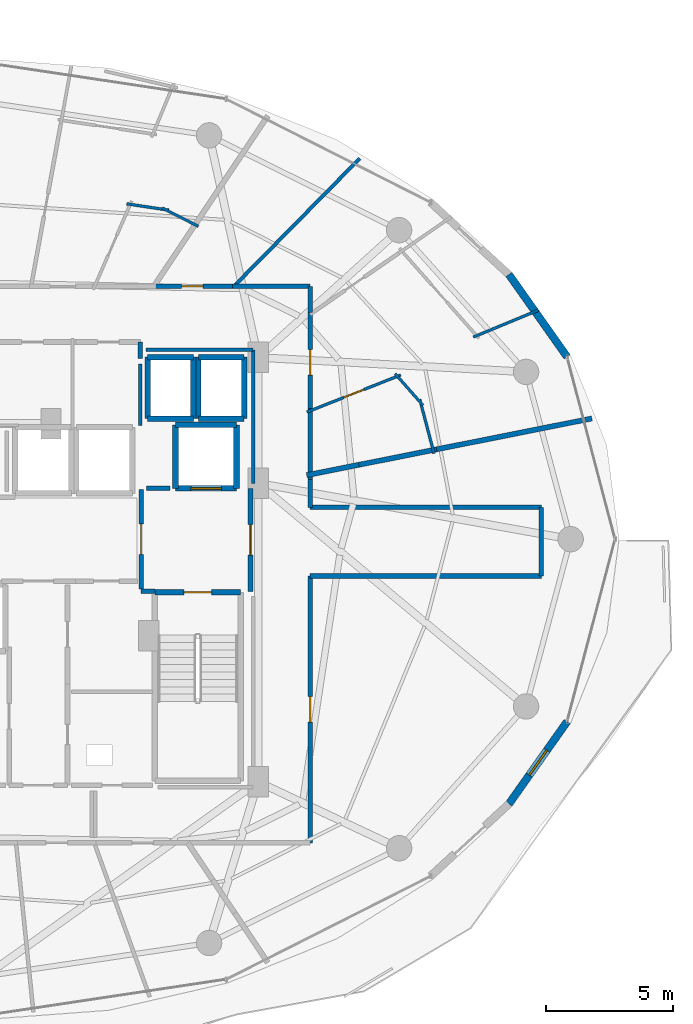
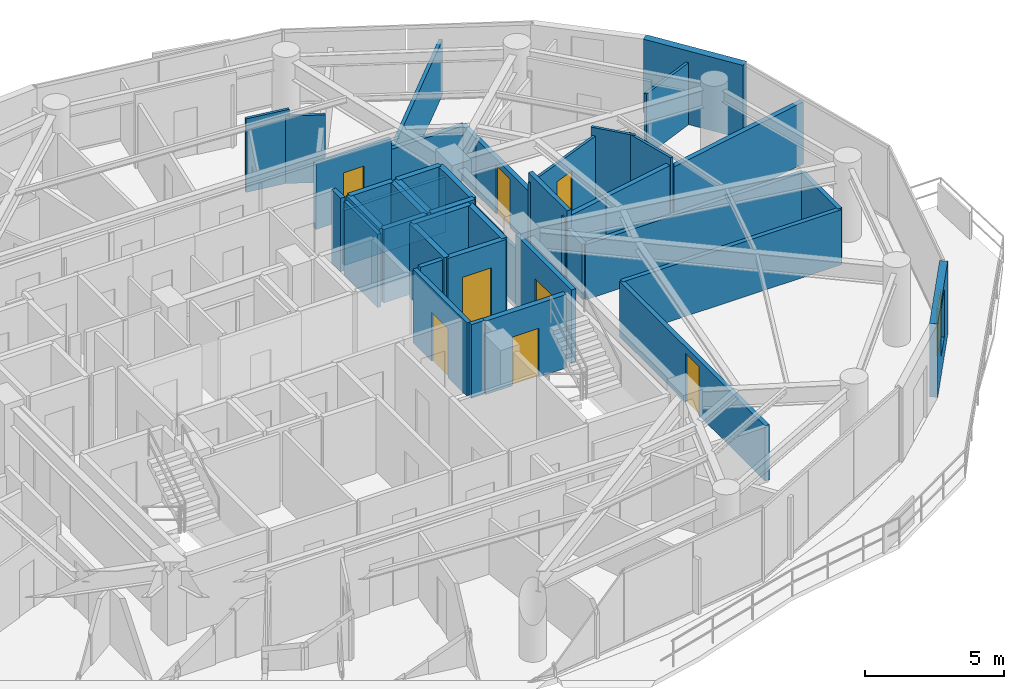
# One storey, part 25 of 30: 43 walls, 8 doors, 1 window, 9 openings.
"""IFC4 building model written with IfcOpenShell, lengths in metres."""

from ifc_helpers import new_model, si_unit, direction, frame, frame_2d, origin, place, context, subcontext, project, spatial, rectangle, extrude, material, layer, layer_set, type_object, element, fill, save


model = new_model("IFC4")

# Units and contexts
model_context = context("Model", 3, precision=1e-05, world=origin(), true_north=direction((0.0, 1.0)))
body_context = subcontext(model_context, "Body", "Model", "MODEL_VIEW")
ifc_project = project(units=[si_unit("LENGTHUNIT", "METRE"), si_unit("AREAUNIT", "SQUARE_METRE"), si_unit("VOLUMEUNIT", "CUBIC_METRE"), si_unit("PLANEANGLEUNIT", "RADIAN"), si_unit("MASSUNIT", "GRAM", prefix="KILO")], contexts=[model_context])

# Site, building, storey
site_placement = place(None, origin())
site = spatial("IfcSite", under=ifc_project, at=site_placement, CompositionType="ELEMENT")
building_placement = place(site_placement, origin())
building = spatial("IfcBuilding", under=site, at=building_placement, Name="Vorneva Point Tower", CompositionType="ELEMENT")
storey_placement = place(building_placement, frame((0.0, 0.0, 157.10009765625)))
storey = spatial("IfcBuildingStorey", under=building, at=storey_placement, Name="L42", CompositionType="ELEMENT", Elevation=157.10009765625)

# Wall, opening, door
ifc_material_1 = material(Name="Concrete B60 (C50/60)", Category="concrete")
ifc_layer_1 = layer(ifc_material_1, 0.5)
ifc_layer_set_1 = layer_set([ifc_layer_1], Name="Concrete B60 (C50/60)")
wall_type_1 = type_object("IfcWallType", Name="WL-CORE-500", PredefinedType="SHEAR", material=ifc_layer_set_1)
wall_1_placement = place(storey_placement, frame((45.5, 28.0, 0.0), z_axis=(0.0, 0.0, 1.0), x_axis=(1.0, 0.0, 0.0)))
wall_1 = element("IfcWall", 1, at=wall_1_placement, inside=storey, type_object=wall_type_1, Name="L42 Lift FFL2 Shaft Wall -Y", PredefinedType="SHEAR", context=body_context, shape_type="SweptSolid", body=[
    extrude(rectangle(XDim=2.39990234375, YDim=0.219970703125, at=frame_2d((1.199951171875, 0.0))), origin(), (0.0, 0.0, 1.0), 3.239990234375),
])
opening_1_placement = place(wall_1_placement, frame((0.60009765625, 0.0, 0.0)))
opening_1 = element("IfcOpeningElement", 2, at=opening_1_placement, cuts=wall_1, Name="Opening LD-02", PredefinedType="OPENING", context=body_context, shape_type="SweptSolid", body=[
    extrude(rectangle(XDim=1.199951171875, YDim=2.199951171875, at=frame_2d((0.60009765625, 1.10009765625))), frame((0.0, 0.125, 0.0), z_axis=(0.0, -1.0, 0.0), x_axis=(1.0, 0.0, 0.0)), (0.0, 0.0, 1.0), 0.249755859375),
])
ifc_material_2 = material(Name="Brushed stainless steel S304", Category="steel")
door_type_1 = type_object("IfcDoorType", Name="LD-FIRE-1200", OperationType="SLIDING_TO_LEFT", PredefinedType="DOOR", material=ifc_material_2)
door_1_placement = place(opening_1_placement, origin())
door_1 = element("IfcDoor", 3, at=door_1_placement, inside=storey, type_object=door_type_1, Name="L42 Lift FFL2 Sliding Landing Door", OperationType="SLIDING_TO_LEFT", OverallHeight=2.199951171875, OverallWidth=1.199951171875, PredefinedType="DOOR", context=body_context, shape_type="SweptSolid", body=[
    extrude(rectangle(XDim=1.199951171875, YDim=2.199951171875, at=frame_2d((0.60009765625, 1.10009765625))), frame((0.0, 0.02490234375, 0.0), z_axis=(0.0, -1.0, 0.0), x_axis=(1.0, 0.0, 0.0)), (0.0, 0.0, 1.0), 0.050048828125),
])
fill(opening_1, door_1)

# Walls
wall_2_placement = place(storey_placement, frame((47.89990234375, 28.0, 0.0), z_axis=(0.0, 0.0, 1.0), x_axis=(0.0, 1.0, 0.0)))
element("IfcWall", 4, at=wall_2_placement, inside=storey, type_object=wall_type_1, Name="L42 Lift FFL2 Shaft Wall +X", PredefinedType="SHEAR", context=body_context, shape_type="SweptSolid", body=[
    extrude(rectangle(XDim=2.5, YDim=0.219970703125, at=frame_2d((1.25, 0.0))), origin(), (0.0, 0.0, 1.0), 3.239990234375),
])
wall_3_placement = place(storey_placement, frame((47.89990234375, 30.5, 0.0), z_axis=(0.0, 0.0, 1.0), x_axis=(-1.0, 0.0, 0.0)))
element("IfcWall", 5, at=wall_3_placement, inside=storey, type_object=wall_type_1, Name="L42 Lift FFL2 Shaft Wall +Y", PredefinedType="SHEAR", context=body_context, shape_type="SweptSolid", body=[
    extrude(rectangle(XDim=2.39990234375, YDim=0.219970703125, at=frame_2d((1.199951171875, 0.0))), origin(), (0.0, 0.0, 1.0), 3.239990234375),
])
wall_4_placement = place(storey_placement, frame((45.5, 30.5, 0.0), z_axis=(0.0, 0.0, 1.0), x_axis=(0.0, -1.0, 0.0)))
element("IfcWall", 6, at=wall_4_placement, inside=storey, type_object=wall_type_1, Name="L42 Lift FFL2 Shaft Wall -X", PredefinedType="SHEAR", context=body_context, shape_type="SweptSolid", body=[
    extrude(rectangle(XDim=2.5, YDim=0.219970703125, at=frame_2d((1.25, 0.0))), origin(), (0.0, 0.0, 1.0), 3.239990234375),
])
ifc_material_3 = material(Name="Precast concrete B50 (C40/50)", Category="concrete")
ifc_layer_2 = layer(ifc_material_3, 0.300048828125)
ifc_layer_set_2 = layer_set([ifc_layer_2], Name="Precast concrete B50 (C40/50)")
wall_type_2 = type_object("IfcWallType", Name="WL-EXT-300", PredefinedType="STANDARD", material=ifc_layer_set_2)
wall_5_placement = place(storey_placement, frame((60.912109375, 33.17529296875, 0.0), z_axis=(0.0, 0.0, 1.0), x_axis=(-0.577269753207, 0.816553508371, 0.0)))
element("IfcWall", 7, at=wall_5_placement, inside=storey, type_object=wall_type_2, Name="L42 Pale-Metal Facade Spandrel Wall 02.1", PredefinedType="STANDARD", context=body_context, shape_type="SweptSolid", body=[
    extrude(rectangle(XDim=3.969970703125, YDim=0.300048828125, at=frame_2d((1.98486328125, 0.0))), origin(), (0.0, 0.0, 1.0), 3.239990234375),
])

# Wall, opening, window
wall_6_placement = place(storey_placement, frame((58.620361328125, 15.5830078125, 0.0), z_axis=(0.0, 0.0, 1.0), x_axis=(0.577269753207, 0.816553508371, 0.0)))
wall_6 = element("IfcWall", 8, at=wall_6_placement, inside=storey, type_object=wall_type_2, Name="L42 Pale-Metal Facade Spandrel Wall 15.2", PredefinedType="STANDARD", context=body_context, shape_type="SweptSolid", body=[
    extrude(rectangle(XDim=3.969970703125, YDim=0.300048828125, at=frame_2d((1.98486328125, 0.0))), origin(), (0.0, 0.0, 1.0), 3.239990234375),
])
opening_2_placement = place(wall_6_placement, frame((1.385009765625, 0.0, 0.85009765625)))
opening_2 = element("IfcOpeningElement", 9, at=opening_2_placement, cuts=wall_6, Name="Opening W-04", PredefinedType="OPENING", context=body_context, shape_type="SweptSolid", body=[
    extrude(rectangle(XDim=1.199951171875, YDim=2.10009765625, at=frame_2d((0.60009765625, 1.050048828125))), frame((0.0, 0.1650390625, 0.0), z_axis=(0.0, -1.0, 0.0), x_axis=(1.0, 0.0, 0.0)), (0.0, 0.0, 1.0), 0.329833984375),
])
ifc_material_4 = material(Name="Double low-e laminated glass IGU", Category="glass")
window_type = type_object("IfcWindowType", Name="WN-RES-1200", PartitioningType="SINGLE_PANEL", PredefinedType="WINDOW", material=ifc_material_4)
window_placement = place(opening_2_placement, origin())
window = element("IfcWindow", 10, at=window_placement, inside=storey, type_object=window_type, Name="L42 Facade Window 15", OverallHeight=2.10009765625, OverallWidth=1.199951171875, PartitioningType="SINGLE_PANEL", PredefinedType="WINDOW", context=body_context, shape_type="SweptSolid", body=[
    extrude(rectangle(XDim=1.199951171875, YDim=2.10009765625, at=frame_2d((0.60009765625, 1.050048828125))), frame((0.0, 0.030029296875, 0.0), z_axis=(0.0, -1.0, 0.0), x_axis=(1.0, 0.0, 0.0)), (0.0, 0.0, 1.0), 0.06005859375),
])
fill(opening_2, window)

# Wall, opening, door
ifc_material_5 = material(Name="Fire-rated acoustic gypsum stud partition", Category="gypsum")
ifc_layer_3 = layer(ifc_material_5, 0.110107421875)
ifc_layer_set_3 = layer_set([ifc_layer_3], Name="Fire-rated acoustic gypsum stud partition")
wall_type_3 = type_object("IfcWallType", Name="WL-PART-110", PredefinedType="PARTITIONING", material=ifc_layer_set_3)
wall_7_placement = place(storey_placement, frame((50.669921875, 31.002685546875, 0.0), z_axis=(0.0, 0.0, 1.0), x_axis=(0.930092731386, 0.367324803169, 0.0)))
wall_7 = element("IfcWall", 11, at=wall_7_placement, inside=storey, type_object=wall_type_3, Name="L42 Interior Partition 072", PredefinedType="PARTITIONING", context=body_context, shape_type="SweptSolid", body=[
    extrude(rectangle(XDim=3.968505859375, YDim=0.110107421875, at=frame_2d((1.984375, 0.0))), origin(), (0.0, 0.0, 1.0), 2.885986328125),
])
opening_3_placement = place(wall_7_placement, frame((1.559326171875, 0.0, 0.0)))
opening_3 = element("IfcOpeningElement", 12, at=opening_3_placement, cuts=wall_7, Name="Opening ID-02", PredefinedType="OPENING", context=body_context, shape_type="SweptSolid", body=[
    extrude(rectangle(XDim=0.85009765625, YDim=2.10009765625, at=frame_2d((0.425048828125, 1.050048828125))), frame((0.0, 0.06982421875, 0.0), z_axis=(0.0, -1.0, 0.0), x_axis=(1.0, 0.0, 0.0)), (0.0, 0.0, 1.0), 0.139892578125),
])
ifc_material_6 = material(Name="Engineered oak fire-rated door leaf", Category="wood")
door_type_2 = type_object("IfcDoorType", Name="DR-BATH-850", OperationType="NOTDEFINED", PredefinedType="DOOR", material=ifc_material_6)
door_2_placement = place(opening_3_placement, origin())
door_2 = element("IfcDoor", 13, at=door_2_placement, inside=storey, type_object=door_type_2, Name="L42 Door Living and Dining Room L42-01 / Bathroom L42-01", OperationType="SINGLE_SWING_LEFT", OverallHeight=2.10009765625, OverallWidth=0.85009765625, PredefinedType="DOOR", context=body_context, shape_type="SweptSolid", body=[
    extrude(rectangle(XDim=0.85009765625, YDim=2.10009765625, at=frame_2d((0.425048828125, 1.050048828125))), frame((0.0, 0.02490234375, 0.0), z_axis=(0.0, -1.0, 0.0), x_axis=(1.0, 0.0, 0.0)), (0.0, 0.0, 1.0), 0.050048828125),
])
fill(opening_3, door_2)

# Walls
wall_8_placement = place(storey_placement, frame((54.138427734375, 32.513916015625, 0.0), z_axis=(0.0, 0.0, 1.0), x_axis=(0.661645897528, -0.749816448396, 0.0)))
element("IfcWall", 14, at=wall_8_placement, inside=storey, type_object=wall_type_3, Name="L42 Interior Partition 073", PredefinedType="PARTITIONING", context=body_context, shape_type="SweptSolid", body=[
    extrude(rectangle(XDim=1.6640625, YDim=0.110107421875, at=frame_2d((0.83203125, 0.0))), origin(), (0.0, 0.0, 1.0), 3.239990234375),
])
wall_9_placement = place(storey_placement, frame((55.111328125, 31.50634765625, 0.0), z_axis=(0.0, 0.0, 1.0), x_axis=(0.254389812051, -0.967101764823, 0.0)))
element("IfcWall", 15, at=wall_9_placement, inside=storey, type_object=wall_type_3, Name="L42 Interior Partition 074", PredefinedType="PARTITIONING", context=body_context, shape_type="SweptSolid", body=[
    extrude(rectangle(XDim=2.206298828125, YDim=0.110107421875, at=frame_2d((1.10302734375, 0.0))), origin(), (0.0, 0.0, 1.0), 3.239990234375),
])
wall_10_placement = place(storey_placement, frame((59.7783203125, 35.012451171875, 0.0), z_axis=(0.0, 0.0, 1.0), x_axis=(-0.924067287951, -0.382229835751, 0.0)))
element("IfcWall", 16, at=wall_10_placement, inside=storey, type_object=wall_type_3, Name="L42 Interior Partition 075", PredefinedType="PARTITIONING", context=body_context, shape_type="SweptSolid", body=[
    extrude(rectangle(XDim=2.770263671875, YDim=0.110107421875, at=frame_2d((1.38525390625, 0.0))), origin(), (0.0, 0.0, 1.0), 2.727783203125),
])
wall_11_placement = place(storey_placement, frame((43.57861328125, 39.19677734375, 0.0), z_axis=(0.0, 0.0, 1.0), x_axis=(0.988928896576, -0.148390153032, 0.0)))
element("IfcWall", 17, at=wall_11_placement, inside=storey, type_object=wall_type_3, Name="L42 Interior Partition 085", PredefinedType="PARTITIONING", context=body_context, shape_type="SweptSolid", body=[
    extrude(rectangle(XDim=1.681396484375, YDim=0.110107421875, at=frame_2d((0.8408203125, 0.0))), origin(), (0.0, 0.0, 1.0), 3.239990234375),
])
wall_12_placement = place(storey_placement, frame((44.97802734375, 39.03125, 0.0), z_axis=(0.0, 0.0, 1.0), x_axis=(0.892388427115, -0.451268096758, 0.0)))
element("IfcWall", 18, at=wall_12_placement, inside=storey, type_object=wall_type_3, Name="L42 Interior Partition 086", PredefinedType="PARTITIONING", context=body_context, shape_type="SweptSolid", body=[
    extrude(rectangle(XDim=1.587890625, YDim=0.110107421875, at=frame_2d((0.7939453125, 0.0))), origin(), (0.0, 0.0, 1.0), 2.971923828125),
])
ifc_layer_4 = layer(ifc_material_5, 0.139892578125)
ifc_layer_set_4 = layer_set([ifc_layer_4], Name="Fire-rated acoustic gypsum stud partition")
wall_type_4 = type_object("IfcWallType", Name="WL-PART-140", PredefinedType="PARTITIONING", material=ifc_layer_set_4)
wall_13_placement = place(storey_placement, frame((52.7509765625, 40.985107421875, 0.0), z_axis=(0.0, 0.0, 1.0), x_axis=(-0.701486551238, -0.712682691268, 0.0)))
element("IfcWall", 19, at=wall_13_placement, inside=storey, type_object=wall_type_4, Name="L42 Interior Partition 082", PredefinedType="PARTITIONING", context=body_context, shape_type="SweptSolid", body=[
    extrude(rectangle(XDim=7.065185546875, YDim=0.139892578125, at=frame_2d((3.53271484375, 0.0))), origin(), (0.0, 0.0, 1.0), 2.431884765625),
])
wall_14_placement = place(storey_placement, frame((44.1201171875, 30.47998046875, 0.0), z_axis=(0.0, 0.0, 1.0), x_axis=(0.0, 1.0, 0.0)))
element("IfcWall", 20, at=wall_14_placement, inside=storey, type_object=wall_type_4, Name="L42 Interior Closure Partition 147", PredefinedType="PARTITIONING", context=body_context, shape_type="SweptSolid", body=[
    extrude(rectangle(XDim=2.409912109375, YDim=0.139892578125, at=frame_2d((1.205078125, 0.0))), origin(), (0.0, 0.0, 1.0), 3.239990234375),
])
wall_15_placement = place(storey_placement, frame((48.550048828125, 28.196044921875, 0.0), z_axis=(0.0, 0.0, 1.0), x_axis=(0.0, 1.0, 0.0)))
element("IfcWall", 21, at=wall_15_placement, inside=storey, type_object=wall_type_4, Name="L42 Interior Closure Partition 154", PredefinedType="PARTITIONING", context=body_context, shape_type="SweptSolid", body=[
    extrude(rectangle(XDim=5.25390625, YDim=0.139892578125, at=frame_2d((2.626953125, 0.0))), origin(), (0.0, 0.0, 1.0), 2.431884765625),
])
wall_16_placement = place(storey_placement, frame((48.550048828125, 33.449951171875, 0.0), z_axis=(0.0, 0.0, 1.0), x_axis=(-1.0, 0.0, 0.0)))
element("IfcWall", 22, at=wall_16_placement, inside=storey, type_object=wall_type_4, Name="L42 Interior Closure Partition 155", PredefinedType="PARTITIONING", context=body_context, shape_type="SweptSolid", body=[
    extrude(rectangle(XDim=4.2099609375, YDim=0.139892578125, at=frame_2d((2.10498046875, 0.0))), origin(), (0.0, 0.0, 1.0), 2.431884765625),
])

# Wall, opening, door
ifc_material_7 = material(Name="Autoclaved aerated concrete blockwork", Category="masonry")
ifc_layer_5 = layer(ifc_material_7, 0.179931640625)
ifc_layer_set_5 = layer_set([ifc_layer_5], Name="Autoclaved aerated concrete blockwork")
wall_type_5 = type_object("IfcWallType", Name="WL-PART-180", PredefinedType="PARTITIONING", material=ifc_layer_set_5)
wall_17_placement = place(storey_placement, frame((44.14990234375, 27.955078125, 0.0), z_axis=(0.0, 0.0, 1.0), x_axis=(0.0, -1.0, 0.0)))
wall_17 = element("IfcWall", 23, at=wall_17_placement, inside=storey, type_object=wall_type_5, Name="L42 Interior Partition 003", PredefinedType="PARTITIONING", context=body_context, shape_type="SweptSolid", body=[
    extrude(rectangle(XDim=3.91015625, YDim=0.179931640625, at=frame_2d((1.955078125, 0.0))), origin(), (0.0, 0.0, 1.0), 3.239990234375),
])
opening_4_placement = place(wall_17_placement, frame((1.35498046875, 0.0, 0.0)))
opening_4 = element("IfcOpeningElement", 24, at=opening_4_placement, cuts=wall_17, Name="Opening FD-02", PredefinedType="OPENING", context=body_context, shape_type="SweptSolid", body=[
    extrude(rectangle(XDim=1.199951171875, YDim=2.14990234375, at=frame_2d((0.60009765625, 1.074951171875))), frame((0.0, 0.10498046875, 0.0), z_axis=(0.0, -1.0, 0.0), x_axis=(1.0, 0.0, 0.0)), (0.0, 0.0, 1.0), 0.209716796875),
])
ifc_material_8 = material(Name="Fire-rated powder-coated steel", Category="steel")
door_type_3 = type_object("IfcDoorType", Name="DR-FFL-1200", OperationType="NOTDEFINED", PredefinedType="DOOR", material=ifc_material_8)
door_3_placement = place(opening_4_placement, origin())
door_3 = element("IfcDoor", 25, at=door_3_placement, inside=storey, type_object=door_type_3, Name="L42 Door East Firefighting Lobby / Central Lift Lobby", OperationType="SINGLE_SWING_RIGHT", OverallHeight=2.14990234375, OverallWidth=1.199951171875, PredefinedType="DOOR", context=body_context, shape_type="SweptSolid", body=[
    extrude(rectangle(XDim=1.199951171875, YDim=2.14990234375, at=frame_2d((0.60009765625, 1.074951171875))), frame((0.0, 0.02490234375, 0.0), z_axis=(0.0, -1.0, 0.0), x_axis=(1.0, 0.0, 0.0)), (0.0, 0.0, 1.0), 0.050048828125),
])
fill(opening_4, door_3)

# Wall
wall_18_placement = place(storey_placement, frame((44.14990234375, 23.949951171875, 0.0), z_axis=(0.0, 0.0, 1.0), x_axis=(1.0, 0.0, 0.0)))
element("IfcWall", 26, at=wall_18_placement, inside=storey, type_object=wall_type_5, Name="L42 Interior Partition 004", PredefinedType="PARTITIONING", context=body_context, shape_type="SweptSolid", body=[
    extrude(rectangle(XDim=0.5400390625, YDim=0.179931640625, at=frame_2d((0.27001953125, 0.0))), origin(), (0.0, 0.0, 1.0), 3.239990234375),
])

# Wall, opening, door
wall_19_placement = place(storey_placement, frame((48.449951171875, 23.949951171875, 0.0), z_axis=(0.0, 0.0, 1.0), x_axis=(0.0, 1.0, 0.0)))
wall_19 = element("IfcWall", 27, at=wall_19_placement, inside=storey, type_object=wall_type_5, Name="L42 Interior Partition 005", PredefinedType="PARTITIONING", context=body_context, shape_type="SweptSolid", body=[
    extrude(rectangle(XDim=4.050048828125, YDim=0.179931640625, at=frame_2d((2.02490234375, 0.0))), origin(), (0.0, 0.0, 1.0), 3.239990234375),
])
opening_5_placement = place(wall_19_placement, frame((1.425048828125, 0.0, 0.0)))
opening_5 = element("IfcOpeningElement", 28, at=opening_5_placement, cuts=wall_19, Name="Opening FD-02", PredefinedType="OPENING", context=body_context, shape_type="SweptSolid", body=[
    extrude(rectangle(XDim=1.199951171875, YDim=2.14990234375, at=frame_2d((0.60009765625, 1.074951171875))), frame((0.0, 0.10498046875, 0.0), z_axis=(0.0, -1.0, 0.0), x_axis=(1.0, 0.0, 0.0)), (0.0, 0.0, 1.0), 0.209716796875),
])
door_4_placement = place(opening_5_placement, origin())
door_4 = element("IfcDoor", 29, at=door_4_placement, inside=storey, type_object=door_type_3, Name="L42 Door East Firefighting Lobby / L42 Circulation Corridor", OperationType="SINGLE_SWING_LEFT", OverallHeight=2.14990234375, OverallWidth=1.199951171875, PredefinedType="DOOR", context=body_context, shape_type="SweptSolid", body=[
    extrude(rectangle(XDim=1.199951171875, YDim=2.14990234375, at=frame_2d((0.60009765625, 1.074951171875))), frame((0.0, 0.02490234375, 0.0), z_axis=(0.0, -1.0, 0.0), x_axis=(1.0, 0.0, 0.0)), (0.0, 0.0, 1.0), 0.050048828125),
])
fill(opening_5, door_4)

# Wall
wall_20_placement = place(storey_placement, frame((44.1201171875, 33.110107421875, 0.0), z_axis=(0.0, 0.0, 1.0), x_axis=(0.0, 1.0, 0.0)))
element("IfcWall", 30, at=wall_20_placement, inside=storey, type_object=wall_type_5, Name="L42 Interior Partition 030", PredefinedType="PARTITIONING", context=body_context, shape_type="SweptSolid", body=[
    extrude(rectangle(XDim=0.64990234375, YDim=0.179931640625, at=frame_2d((0.324951171875, 0.0))), origin(), (0.0, 0.0, 1.0), 3.239990234375),
])

# Wall, opening, door
wall_21_placement = place(storey_placement, frame((50.800048828125, 30.993896484375, 0.0), z_axis=(0.0, 0.0, 1.0), x_axis=(0.0, 1.0, 0.0)))
wall_21 = element("IfcWall", 31, at=wall_21_placement, inside=storey, type_object=wall_type_5, Name="L42 Interior Partition 034", PredefinedType="PARTITIONING", context=body_context, shape_type="SweptSolid", body=[
    extrude(rectangle(XDim=3.926025390625, YDim=0.179931640625, at=frame_2d((1.962890625, 0.0))), origin(), (0.0, 0.0, 1.0), 2.431884765625),
])
opening_6_placement = place(wall_21_placement, frame((1.462890625, 0.0, 0.0)))
opening_6 = element("IfcOpeningElement", 32, at=opening_6_placement, cuts=wall_21, Name="Opening UD-01", PredefinedType="OPENING", context=body_context, shape_type="SweptSolid", body=[
    extrude(rectangle(XDim=1.0, YDim=2.14990234375, at=frame_2d((0.5, 1.074951171875))), frame((0.0, 0.10498046875, 0.0), z_axis=(0.0, -1.0, 0.0), x_axis=(1.0, 0.0, 0.0)), (0.0, 0.0, 1.0), 0.209716796875),
])
door_type_4 = type_object("IfcDoorType", Name="DR-UNIT-1000", OperationType="NOTDEFINED", PredefinedType="DOOR", material=ifc_material_6)
door_5_placement = place(opening_6_placement, origin())
door_5 = element("IfcDoor", 33, at=door_5_placement, inside=storey, type_object=door_type_4, Name="L42 Door L42 Circulation Corridor / Living and Dining Room L42-01", OperationType="SINGLE_SWING_RIGHT", OverallHeight=2.14990234375, OverallWidth=1.0, PredefinedType="DOOR", context=body_context, shape_type="SweptSolid", body=[
    extrude(rectangle(XDim=1.0, YDim=2.14990234375, at=frame_2d((0.5, 1.074951171875))), frame((0.0, 0.02490234375, 0.0), z_axis=(0.0, -1.0, 0.0), x_axis=(1.0, 0.0, 0.0)), (0.0, 0.0, 1.0), 0.050048828125),
])
fill(opening_6, door_5)

# Walls
wall_22_placement = place(storey_placement, frame((50.800048828125, 28.345947265625, 0.0), z_axis=(0.0, 0.0, 1.0), x_axis=(0.0, 1.0, 0.0)))
element("IfcWall", 34, at=wall_22_placement, inside=storey, type_object=wall_type_5, Name="L42 Interior Partition 035", PredefinedType="PARTITIONING", context=body_context, shape_type="SweptSolid", body=[
    extrude(rectangle(XDim=2.7880859375, YDim=0.179931640625, at=frame_2d((1.39404296875, 0.0))), origin(), (0.0, 0.0, 1.0), 3.239990234375),
])
wall_23_placement = place(storey_placement, frame((50.800048828125, 34.919921875, 0.0), z_axis=(0.0, 0.0, 1.0), x_axis=(0.0, 1.0, 0.0)))
element("IfcWall", 35, at=wall_23_placement, inside=storey, type_object=wall_type_5, Name="L42 Interior Partition 036", PredefinedType="PARTITIONING", context=body_context, shape_type="SweptSolid", body=[
    extrude(rectangle(XDim=1.030029296875, YDim=0.179931640625, at=frame_2d((0.51513671875, 0.0))), origin(), (0.0, 0.0, 1.0), 2.431884765625),
])
wall_24_placement = place(storey_placement, frame((50.800048828125, 35.949951171875, 0.0), z_axis=(0.0, 0.0, 1.0), x_axis=(-1.0, 0.0, 0.0)))
element("IfcWall", 36, at=wall_24_placement, inside=storey, type_object=wall_type_5, Name="L42 Interior Partition 037", PredefinedType="PARTITIONING", context=body_context, shape_type="SweptSolid", body=[
    extrude(rectangle(XDim=3.06494140625, YDim=0.179931640625, at=frame_2d((1.532470703125, 0.0))), origin(), (0.0, 0.0, 1.0), 2.431884765625),
])

# Wall, opening, door
wall_25_placement = place(storey_placement, frame((47.735107421875, 35.949951171875, 0.0), z_axis=(0.0, 0.0, 1.0), x_axis=(-1.0, 0.0, 0.0)))
wall_25 = element("IfcWall", 37, at=wall_25_placement, inside=storey, type_object=wall_type_5, Name="L42 Interior Partition 038", PredefinedType="PARTITIONING", context=body_context, shape_type="SweptSolid", body=[
    extrude(rectangle(XDim=3.147216796875, YDim=0.179931640625, at=frame_2d((1.57373046875, 0.0))), origin(), (0.0, 0.0, 1.0), 2.885986328125),
])
opening_7_placement = place(wall_25_placement, frame((1.1484375, 0.0, 0.0)))
opening_7 = element("IfcOpeningElement", 38, at=opening_7_placement, cuts=wall_25, Name="Opening ID-02", PredefinedType="OPENING", context=body_context, shape_type="SweptSolid", body=[
    extrude(rectangle(XDim=0.85009765625, YDim=2.10009765625, at=frame_2d((0.425048828125, 1.050048828125))), frame((0.0, 0.10498046875, 0.0), z_axis=(0.0, -1.0, 0.0), x_axis=(1.0, 0.0, 0.0)), (0.0, 0.0, 1.0), 0.209716796875),
])
door_6_placement = place(opening_7_placement, origin())
door_6 = element("IfcDoor", 39, at=door_6_placement, inside=storey, type_object=door_type_2, Name="L42 Access Door L42 Circulation Corridor", OperationType="SINGLE_SWING_LEFT", OverallHeight=2.10009765625, OverallWidth=0.85009765625, PredefinedType="DOOR", context=body_context, shape_type="SweptSolid", body=[
    extrude(rectangle(XDim=0.85009765625, YDim=2.10009765625, at=frame_2d((0.425048828125, 1.050048828125))), frame((0.0, 0.02490234375, 0.0), z_axis=(0.0, -1.0, 0.0), x_axis=(1.0, 0.0, 0.0)), (0.0, 0.0, 1.0), 0.050048828125),
])
fill(opening_7, door_6)

wall_26_placement = place(storey_placement, frame((50.800048828125, 14.050048828125, 0.0), z_axis=(0.0, 0.0, 1.0), x_axis=(0.0, 1.0, 0.0)))
wall_26 = element("IfcWall", 40, at=wall_26_placement, inside=storey, type_object=wall_type_5, Name="L42 Interior Partition 067", PredefinedType="PARTITIONING", context=body_context, shape_type="SweptSolid", body=[
    extrude(rectangle(XDim=10.5, YDim=0.179931640625, at=frame_2d((5.25, 0.0))), origin(), (0.0, 0.0, 1.0), 2.431884765625),
])
opening_8_placement = place(wall_26_placement, frame((4.75, 0.0, 0.0)))
opening_8 = element("IfcOpeningElement", 41, at=opening_8_placement, cuts=wall_26, Name="Opening UD-01", PredefinedType="OPENING", context=body_context, shape_type="SweptSolid", body=[
    extrude(rectangle(XDim=1.0, YDim=2.14990234375, at=frame_2d((0.5, 1.074951171875))), frame((0.0, 0.10498046875, 0.0), z_axis=(0.0, -1.0, 0.0), x_axis=(1.0, 0.0, 0.0)), (0.0, 0.0, 1.0), 0.209716796875),
])
door_7_placement = place(opening_8_placement, origin())
door_7 = element("IfcDoor", 42, at=door_7_placement, inside=storey, type_object=door_type_4, Name="L42 Door L42 Circulation Corridor / Residents Sky Lounge L42-07", OperationType="SINGLE_SWING_RIGHT", OverallHeight=2.14990234375, OverallWidth=1.0, PredefinedType="DOOR", context=body_context, shape_type="SweptSolid", body=[
    extrude(rectangle(XDim=1.0, YDim=2.14990234375, at=frame_2d((0.5, 1.074951171875))), frame((0.0, 0.02490234375, 0.0), z_axis=(0.0, -1.0, 0.0), x_axis=(1.0, 0.0, 0.0)), (0.0, 0.0, 1.0), 0.050048828125),
])
fill(opening_8, door_7)

# Walls
wall_27_placement = place(storey_placement, frame((50.800048828125, 24.550048828125, 0.0), z_axis=(0.0, 0.0, 1.0), x_axis=(1.0, 0.0, 0.0)))
element("IfcWall", 43, at=wall_27_placement, inside=storey, type_object=wall_type_5, Name="L42 Interior Partition 068", PredefinedType="PARTITIONING", context=body_context, shape_type="SweptSolid", body=[
    extrude(rectangle(XDim=9.099853515625, YDim=0.179931640625, at=frame_2d((4.5498046875, 0.0))), origin(), (0.0, 0.0, 1.0), 2.431884765625),
])
wall_28_placement = place(storey_placement, frame((59.89990234375, 24.550048828125, 0.0), z_axis=(0.0, 0.0, 1.0), x_axis=(0.0, 1.0, 0.0)))
element("IfcWall", 44, at=wall_28_placement, inside=storey, type_object=wall_type_5, Name="L42 Interior Partition 069", PredefinedType="PARTITIONING", context=body_context, shape_type="SweptSolid", body=[
    extrude(rectangle(XDim=2.699951171875, YDim=0.179931640625, at=frame_2d((1.35009765625, 0.0))), origin(), (0.0, 0.0, 1.0), 2.431884765625),
])
wall_29_placement = place(storey_placement, frame((59.89990234375, 27.25, 0.0), z_axis=(0.0, 0.0, 1.0), x_axis=(-1.0, 0.0, 0.0)))
element("IfcWall", 45, at=wall_29_placement, inside=storey, type_object=wall_type_5, Name="L42 Interior Partition 070", PredefinedType="PARTITIONING", context=body_context, shape_type="SweptSolid", body=[
    extrude(rectangle(XDim=9.099853515625, YDim=0.179931640625, at=frame_2d((4.5498046875, 0.0))), origin(), (0.0, 0.0, 1.0), 2.431884765625),
])
wall_30_placement = place(storey_placement, frame((50.800048828125, 27.25, 0.0), z_axis=(0.0, 0.0, 1.0), x_axis=(0.0, 1.0, 0.0)))
element("IfcWall", 46, at=wall_30_placement, inside=storey, type_object=wall_type_5, Name="L42 Interior Partition 071", PredefinedType="PARTITIONING", context=body_context, shape_type="SweptSolid", body=[
    extrude(rectangle(XDim=1.095947265625, YDim=0.179931640625, at=frame_2d((0.5478515625, 0.0))), origin(), (0.0, 0.0, 1.0), 2.431884765625),
])
wall_31_placement = place(storey_placement, frame((45.280029296875, 28.0, 0.0), z_axis=(0.0, 0.0, 1.0), x_axis=(-1.0, 0.0, 0.0)))
element("IfcWall", 47, at=wall_31_placement, inside=storey, type_object=wall_type_5, Name="L42 Interior Closure Partition 145", PredefinedType="PARTITIONING", context=body_context, shape_type="SweptSolid", body=[
    extrude(rectangle(XDim=0.9150390625, YDim=0.179931640625, at=frame_2d((0.45751953125, 0.0))), origin(), (0.0, 0.0, 1.0), 3.239990234375),
])
ifc_layer_6 = layer(ifc_material_7, 0.199951171875)
ifc_layer_set_6 = layer_set([ifc_layer_6], Name="Autoclaved aerated concrete blockwork")
wall_type_6 = type_object("IfcWallType", Name="WL-PART-200", PredefinedType="PARTITIONING", material=ifc_layer_set_6)
wall_32_placement = place(storey_placement, frame((55.636962890625, 29.508056640625, 0.0), z_axis=(0.0, 0.0, 1.0), x_axis=(0.98077041661, 0.19516503248, 0.0)))
element("IfcWall", 48, at=wall_32_placement, inside=storey, type_object=wall_type_6, Name="L42 Interior Partition 079", PredefinedType="PARTITIONING", context=body_context, shape_type="SweptSolid", body=[
    extrude(rectangle(XDim=6.36865234375, YDim=0.199951171875, at=frame_2d((3.184326171875, 0.0))), origin(), (0.0, 0.0, 1.0), 2.727783203125),
])
wall_33_placement = place(storey_placement, frame((52.57373046875, 28.898681640625, 0.0), z_axis=(0.0, 0.0, 1.0), x_axis=(0.980781574696, 0.195108950939, 0.0)))
element("IfcWall", 49, at=wall_33_placement, inside=storey, type_object=wall_type_6, Name="L42 Interior Partition 080", PredefinedType="PARTITIONING", context=body_context, shape_type="SweptSolid", body=[
    extrude(rectangle(XDim=3.263427734375, YDim=0.199951171875, at=frame_2d((1.6318359375, 0.0))), origin(), (0.0, 0.0, 1.0), 2.885986328125),
])
wall_34_placement = place(storey_placement, frame((50.66259765625, 28.518798828125, 0.0), z_axis=(0.0, 0.0, 1.0), x_axis=(0.980804842296, 0.194991951961, 0.0)))
element("IfcWall", 50, at=wall_34_placement, inside=storey, type_object=wall_type_6, Name="L42 Interior Partition 081", PredefinedType="PARTITIONING", context=body_context, shape_type="SweptSolid", body=[
    extrude(rectangle(XDim=2.08837890625, YDim=0.199951171875, at=frame_2d((1.044189453125, 0.0))), origin(), (0.0, 0.0, 1.0), 2.885986328125),
])

# Wall, opening, door
ifc_material_9 = material(Name="Concrete B50 (C40/50)", Category="concrete")
ifc_layer_7 = layer(ifc_material_9, 0.219970703125)
ifc_layer_set_7 = layer_set([ifc_layer_7], Name="Concrete B50 (C40/50)")
wall_type_7 = type_object("IfcWallType", Name="WL-SHFT-220", PredefinedType="SOLIDWALL", material=ifc_layer_set_7)
wall_35_placement = place(storey_placement, frame((44.68994140625, 23.909912109375, 0.0), z_axis=(0.0, 0.0, 1.0), x_axis=(1.0, 0.0, 0.0)))
wall_35 = element("IfcWall", 51, at=wall_35_placement, inside=storey, type_object=wall_type_7, Name="L42 Exit Stair ST2 Shaft Wall near", PredefinedType="SOLIDWALL", context=body_context, shape_type="SweptSolid", body=[
    extrude(rectangle(XDim=3.3701171875, YDim=0.219970703125, at=frame_2d((1.68505859375, 0.0))), origin(), (0.0, 0.0, 1.0), 3.239990234375),
])
opening_9_placement = place(wall_35_placement, frame((1.135009765625, 0.0, 0.0)))
opening_9 = element("IfcOpeningElement", 52, at=opening_9_placement, cuts=wall_35, Name="Opening FD-01", PredefinedType="OPENING", context=body_context, shape_type="SweptSolid", body=[
    extrude(rectangle(XDim=1.10009765625, YDim=2.14990234375, at=frame_2d((0.550048828125, 1.074951171875))), frame((0.0, 0.125, 0.0), z_axis=(0.0, -1.0, 0.0), x_axis=(1.0, 0.0, 0.0)), (0.0, 0.0, 1.0), 0.249755859375),
])
door_type_5 = type_object("IfcDoorType", Name="DR-STAIR-1100", OperationType="NOTDEFINED", PredefinedType="DOOR", material=ifc_material_8)
door_8_placement = place(opening_9_placement, origin())
door_8 = element("IfcDoor", 53, at=door_8_placement, inside=storey, type_object=door_type_5, Name="L42 Exit Stair ST2 Fire Door", OperationType="SINGLE_SWING_LEFT", OverallHeight=2.14990234375, OverallWidth=1.10009765625, PredefinedType="DOOR", context=body_context, shape_type="SweptSolid", body=[
    extrude(rectangle(XDim=1.10009765625, YDim=2.14990234375, at=frame_2d((0.550048828125, 1.074951171875))), frame((0.0, 0.02490234375, 0.0), z_axis=(0.0, -1.0, 0.0), x_axis=(1.0, 0.0, 0.0)), (0.0, 0.0, 1.0), 0.050048828125),
])
fill(opening_9, door_8)

# Walls
wall_36_placement = place(storey_placement, frame((44.39990234375, 30.739990234375, 0.0), z_axis=(0.0, 0.0, 1.0), x_axis=(1.0, 0.0, 0.0)))
element("IfcWall", 54, at=wall_36_placement, inside=storey, type_object=wall_type_7, Name="L42 Lift EX1 Shaft Wall -Y", PredefinedType="SOLIDWALL", context=body_context, shape_type="SweptSolid", body=[
    extrude(rectangle(XDim=1.800048828125, YDim=0.219970703125, at=frame_2d((0.89990234375, 0.0))), origin(), (0.0, 0.0, 1.0), 3.239990234375),
])
wall_37_placement = place(storey_placement, frame((46.199951171875, 30.739990234375, 0.0), z_axis=(0.0, 0.0, 1.0), x_axis=(0.0, 1.0, 0.0)))
element("IfcWall", 55, at=wall_37_placement, inside=storey, type_object=wall_type_7, Name="L42 Lift EX1 Shaft Wall +X", PredefinedType="SOLIDWALL", context=body_context, shape_type="SweptSolid", body=[
    extrude(rectangle(XDim=2.419921875, YDim=0.219970703125, at=frame_2d((1.2099609375, 0.0))), origin(), (0.0, 0.0, 1.0), 3.239990234375),
])
wall_38_placement = place(storey_placement, frame((46.199951171875, 33.159912109375, 0.0), z_axis=(0.0, 0.0, 1.0), x_axis=(-1.0, 0.0, 0.0)))
element("IfcWall", 56, at=wall_38_placement, inside=storey, type_object=wall_type_7, Name="L42 Lift EX1 Shaft Wall +Y", PredefinedType="SOLIDWALL", context=body_context, shape_type="SweptSolid", body=[
    extrude(rectangle(XDim=1.800048828125, YDim=0.219970703125, at=frame_2d((0.89990234375, 0.0))), origin(), (0.0, 0.0, 1.0), 3.239990234375),
])
wall_39_placement = place(storey_placement, frame((44.39990234375, 33.159912109375, 0.0), z_axis=(0.0, 0.0, 1.0), x_axis=(0.0, -1.0, 0.0)))
element("IfcWall", 57, at=wall_39_placement, inside=storey, type_object=wall_type_7, Name="L42 Lift EX1 Shaft Wall -X", PredefinedType="SOLIDWALL", context=body_context, shape_type="SweptSolid", body=[
    extrude(rectangle(XDim=2.419921875, YDim=0.219970703125, at=frame_2d((1.2099609375, 0.0))), origin(), (0.0, 0.0, 1.0), 3.239990234375),
])
wall_40_placement = place(storey_placement, frame((46.39990234375, 30.739990234375, 0.0), z_axis=(0.0, 0.0, 1.0), x_axis=(1.0, 0.0, 0.0)))
element("IfcWall", 58, at=wall_40_placement, inside=storey, type_object=wall_type_7, Name="L42 Lift EX2 Shaft Wall -Y", PredefinedType="SOLIDWALL", context=body_context, shape_type="SweptSolid", body=[
    extrude(rectangle(XDim=1.800048828125, YDim=0.219970703125, at=frame_2d((0.89990234375, 0.0))), origin(), (0.0, 0.0, 1.0), 3.239990234375),
])
wall_41_placement = place(storey_placement, frame((48.199951171875, 30.739990234375, 0.0), z_axis=(0.0, 0.0, 1.0), x_axis=(0.0, 1.0, 0.0)))
element("IfcWall", 59, at=wall_41_placement, inside=storey, type_object=wall_type_7, Name="L42 Lift EX2 Shaft Wall +X", PredefinedType="SOLIDWALL", context=body_context, shape_type="SweptSolid", body=[
    extrude(rectangle(XDim=2.419921875, YDim=0.219970703125, at=frame_2d((1.2099609375, 0.0))), origin(), (0.0, 0.0, 1.0), 3.239990234375),
])
wall_42_placement = place(storey_placement, frame((48.199951171875, 33.159912109375, 0.0), z_axis=(0.0, 0.0, 1.0), x_axis=(-1.0, 0.0, 0.0)))
element("IfcWall", 60, at=wall_42_placement, inside=storey, type_object=wall_type_7, Name="L42 Lift EX2 Shaft Wall +Y", PredefinedType="SOLIDWALL", context=body_context, shape_type="SweptSolid", body=[
    extrude(rectangle(XDim=1.800048828125, YDim=0.219970703125, at=frame_2d((0.89990234375, 0.0))), origin(), (0.0, 0.0, 1.0), 3.239990234375),
])
wall_43_placement = place(storey_placement, frame((46.39990234375, 33.159912109375, 0.0), z_axis=(0.0, 0.0, 1.0), x_axis=(0.0, -1.0, 0.0)))
element("IfcWall", 61, at=wall_43_placement, inside=storey, type_object=wall_type_7, Name="L42 Lift EX2 Shaft Wall -X", PredefinedType="SOLIDWALL", context=body_context, shape_type="SweptSolid", body=[
    extrude(rectangle(XDim=2.419921875, YDim=0.219970703125, at=frame_2d((1.2099609375, 0.0))), origin(), (0.0, 0.0, 1.0), 3.239990234375),
])

save(model, "model.ifc")
